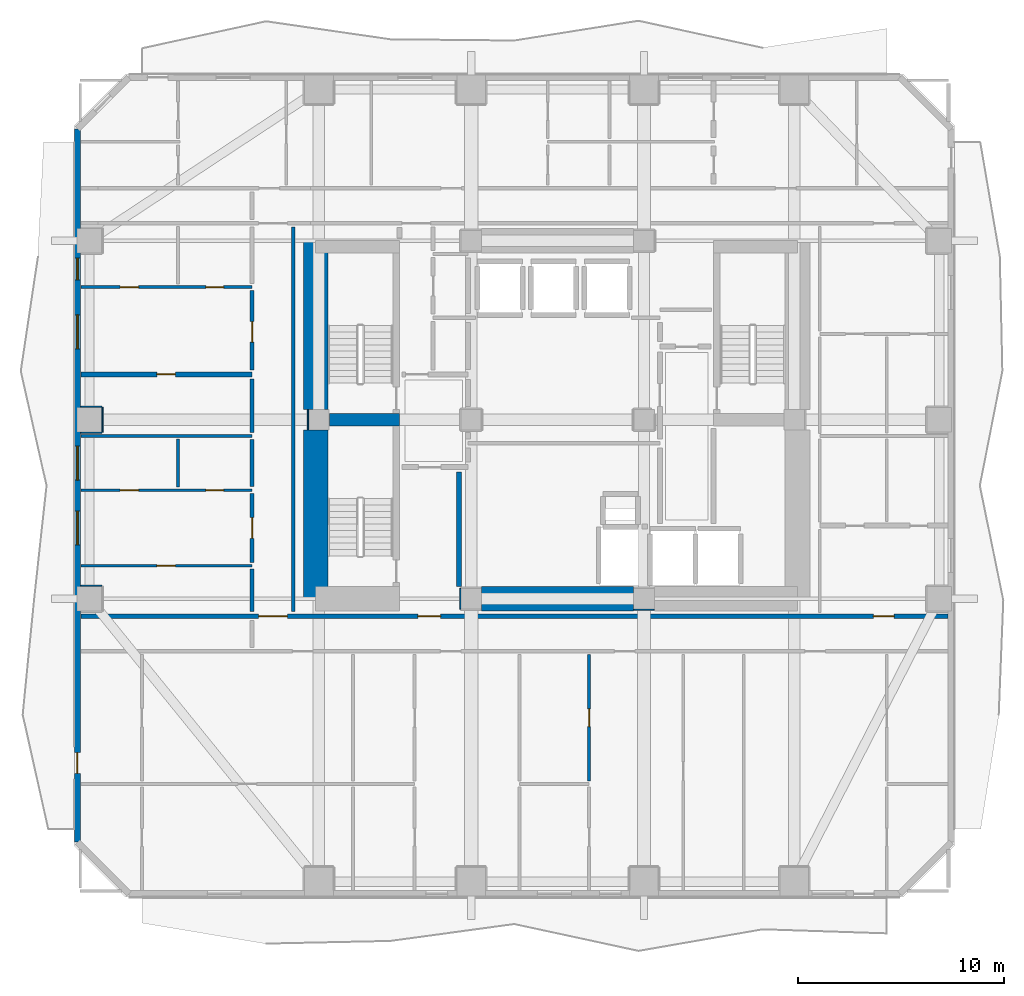
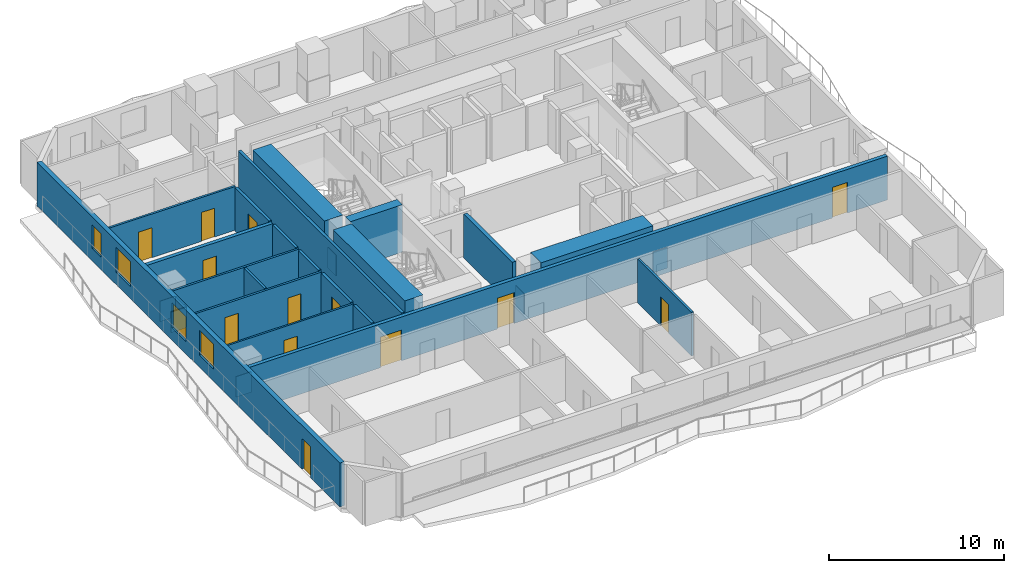
# One storey, part 3 of 11: 27 walls, 13 doors, 4 windows, 17 openings.
"""IFC4 building model written with IfcOpenShell, lengths in metres."""

from ifc_helpers import new_model, si_unit, direction, frame, frame_2d, origin, place, context, subcontext, project, spatial, rectangle, extrude, material, layer, layer_set, type_object, element, fill, save


model = new_model("IFC4")

# Units and contexts
model_context = context("Model", 3, precision=1e-05, world=origin(), true_north=direction((0.0, 1.0)))
body_context = subcontext(model_context, "Body", "Model", "MODEL_VIEW")
ifc_project = project(units=[si_unit("LENGTHUNIT", "METRE"), si_unit("AREAUNIT", "SQUARE_METRE"), si_unit("VOLUMEUNIT", "CUBIC_METRE"), si_unit("PLANEANGLEUNIT", "RADIAN"), si_unit("MASSUNIT", "GRAM", prefix="KILO")], contexts=[model_context])

# Site, building, storey
site_placement = place(None, origin())
site = spatial("IfcSite", under=ifc_project, at=site_placement, CompositionType="ELEMENT")
building_placement = place(site_placement, origin())
building = spatial("IfcBuilding", under=site, at=building_placement, Name="Solanera Arch Residences", CompositionType="ELEMENT")
storey_placement = place(building_placement, frame((0.0, 0.0, 25.320068359375)))
storey = spatial("IfcBuildingStorey", under=building, at=storey_placement, Name="L06", CompositionType="ELEMENT", Elevation=25.320068359375)

# Walls
ifc_material_1 = material(Name="Fire-Rated Gypsum Stud Partition", Category="gypsum")
ifc_layer_1 = layer(ifc_material_1, 0.06005859375)
ifc_layer_set_1 = layer_set([ifc_layer_1], Name="Fire-Rated Gypsum Stud Partition")
wall_type_1 = type_object("IfcWallType", Name="Column Acoustic Furring Wall 60", PredefinedType="PARTITIONING", material=ifc_layer_set_1)
wall_1_placement = place(storey_placement, frame((20.26806640625, 21.5, 0.0), z_axis=(0.0, 0.0, 1.0), x_axis=(0.0, 1.0, 0.0)))
element("IfcWall", 1, at=wall_1_placement, inside=storey, type_object=wall_type_1, Name="L06 Column Furring 1W", PredefinedType="PARTITIONING", context=body_context, shape_type="SweptSolid", body=[
    extrude(rectangle(XDim=1.0, YDim=0.06005859375, at=frame_2d((0.5, 0.0))), origin(), (0.0, 0.0, 1.0), 1.449951171875),
])
for number, where, z_axis, x_axis, name in (
    (2, (28.7099609375, 21.468017578125, 0.0), (0.0, 0.0, 1.0), (1.0, 0.0, 0.0), "L06 Column Furring 2S"),
    (3, (12.867919921875, 30.2099609375, 0.0), (0.0, 0.0, 1.0), (0.0, 1.0, 0.0), "L06 Column Furring 5W"),
):
    element("IfcWall", number, at=place(storey_placement, frame(where, z_axis=z_axis, x_axis=x_axis)), inside=storey, type_object=wall_type_1, Name=name, PredefinedType="PARTITIONING", context=body_context, shape_type="SweptSolid", body=[
        extrude(rectangle(XDim=0.97998046875, YDim=0.06005859375, at=frame_2d((0.489990234375, 0.0))), origin(), (0.0, 0.0, 1.0), 1.449951171875),
    ])
for number, where, z_axis, x_axis, name in (
    (4, (1.830078125, 22.632080078125, 0.0), (0.0, 0.0, 1.0), (1.0, 0.0, 0.0), "L06 Column Furring 17N"),
    (5, (1.830078125, 30.068115234375, 0.0), (0.0, 0.0, 1.0), (1.0, 0.0, 0.0), "L06 Column Furring 19S"),
    (6, (1.830078125, 31.33203125, 0.0), (0.0, 0.0, 1.0), (1.0, 0.0, 0.0), "L06 Column Furring 19N"),
):
    element("IfcWall", number, at=place(storey_placement, frame(where, z_axis=z_axis, x_axis=x_axis)), inside=storey, type_object=wall_type_1, Name=name, PredefinedType="PARTITIONING", context=body_context, shape_type="SweptSolid", body=[
        extrude(rectangle(XDim=1.02001953125, YDim=0.06005859375, at=frame_2d((0.510009765625, 0.0))), origin(), (0.0, 0.0, 1.0), 1.449951171875),
    ])
wall_2_placement = place(storey_placement, frame((2.882080078125, 30.10009765625, 0.0), z_axis=(0.0, 0.0, 1.0), x_axis=(0.0, 1.0, 0.0)))
element("IfcWall", 7, at=wall_2_placement, inside=storey, type_object=wall_type_1, Name="L06 Column Furring 19E", PredefinedType="PARTITIONING", context=body_context, shape_type="SweptSolid", body=[
    extrude(rectangle(XDim=1.199951171875, YDim=0.06005859375, at=frame_2d((0.60009765625, 0.0))), origin(), (0.0, 0.0, 1.0), 1.449951171875),
])
ifc_material_2 = material(Name="Concrete C55/67 (f'c = 60 MPa)", Category="concrete")
ifc_layer_2 = layer(ifc_material_2, 1.199951171875)
ifc_layer_set_2 = layer_set([ifc_layer_2], Name="Concrete C55/67 (f'c = 60 MPa)")
wall_type_2 = type_object("IfcWallType", Name="Core Shear Wall CW-1200", PredefinedType="SHEAR", material=ifc_layer_set_2)
wall_3_placement = place(storey_placement, frame((13.239990234375, 22.0, 0.0), z_axis=(0.0, 0.0, 1.0), x_axis=(0.0, 1.0, 0.0)))
element("IfcWall", 8, at=wall_3_placement, inside=storey, type_object=wall_type_2, Name="L06 West Core South Shear Wall", PredefinedType="SHEAR", context=body_context, shape_type="SweptSolid", body=[
    extrude(rectangle(XDim=8.195068359375, YDim=1.199951171875, at=frame_2d((4.09765625, 0.0))), origin(), (0.0, 0.0, 1.0), 3.31982421875),
])
wall_4_placement = place(storey_placement, frame((13.239990234375, 31.205078125, 0.0), z_axis=(0.0, 0.0, 1.0), x_axis=(0.0, 1.0, 0.0)))
element("IfcWall", 9, at=wall_4_placement, inside=storey, type_object=wall_type_2, Name="L06 West Core North Shear Wall", PredefinedType="SHEAR", context=body_context, shape_type="SweptSolid", body=[
    extrude(rectangle(XDim=8.19482421875, YDim=1.199951171875, at=frame_2d((4.097412109375, 0.0))), origin(), (0.0, 0.0, 1.0), 3.31982421875),
])
wall_5_placement = place(storey_placement, frame((21.304931640625, 22.0, 0.0), z_axis=(0.0, 0.0, 1.0), x_axis=(1.0, 0.0, 0.0)))
element("IfcWall", 10, at=wall_5_placement, inside=storey, type_object=wall_type_2, Name="L06 Central South Core Shear Wall", PredefinedType="SHEAR", context=body_context, shape_type="SweptSolid", body=[
    extrude(rectangle(XDim=7.39013671875, YDim=1.199951171875, at=frame_2d((3.695068359375, 0.0))), origin(), (0.0, 0.0, 1.0), 3.31982421875),
])
ifc_material_3 = material(Name="Concrete C40/50 (f'c = 45 MPa)", Category="concrete")
ifc_layer_3 = layer(ifc_material_3, 0.60009765625)
ifc_layer_set_3 = layer_set([ifc_layer_3], Name="Concrete C40/50 (f'c = 45 MPa)")
wall_type_3 = type_object("IfcWallType", Name="Core Shear Wall CW-600", PredefinedType="SHEAR", material=ifc_layer_set_3)
wall_6_placement = place(storey_placement, frame((13.905029296875, 30.699951171875, 0.0), z_axis=(0.0, 0.0, 1.0), x_axis=(1.0, 0.0, 0.0)))
element("IfcWall", 11, at=wall_6_placement, inside=storey, type_object=wall_type_3, Name="L06 West Stair Divider Shear Wall", PredefinedType="SHEAR", context=body_context, shape_type="SweptSolid", body=[
    extrude(rectangle(XDim=3.4150390625, YDim=0.60009765625, at=frame_2d((1.70751953125, 0.0))), origin(), (0.0, 0.0, 1.0), 3.31982421875),
])
ifc_material_4 = material(Name="Autoclaved Aerated Concrete Blockwork", Category="masonry")
ifc_layer_4 = layer(ifc_material_4, 0.179931640625)
ifc_layer_set_4 = layer_set([ifc_layer_4], Name="Autoclaved Aerated Concrete Blockwork")
wall_type_4 = type_object("IfcWallType", Name="Corridor Fire Partition 180", PredefinedType="PARTITIONING", material=ifc_layer_set_4)
wall_7_placement = place(storey_placement, frame((10.14990234375, 21.367919921875, 0.0), z_axis=(0.0, 0.0, 1.0), x_axis=(0.0, 1.0, 0.0)))
element("IfcWall", 12, at=wall_7_placement, inside=storey, type_object=wall_type_4, Name="L06 Interior Partition V7 2", PredefinedType="PARTITIONING", context=body_context, shape_type="SweptSolid", body=[
    extrude(rectangle(XDim=2.073974609375, YDim=0.179931640625, at=frame_2d((1.037109375, 0.0))), origin(), (0.0, 0.0, 1.0), 3.059814453125),
])

# Wall, opening, door
wall_8_placement = place(storey_placement, frame((10.14990234375, 23.758056640625, 0.0), z_axis=(0.0, 0.0, 1.0), x_axis=(0.0, 1.0, 0.0)))
wall_8 = element("IfcWall", 13, at=wall_8_placement, inside=storey, type_object=wall_type_4, Name="L06 Interior Partition V7 3", PredefinedType="PARTITIONING", context=body_context, shape_type="SweptSolid", body=[
    extrude(rectangle(XDim=3.348876953125, YDim=0.179931640625, at=frame_2d((1.67431640625, 0.0))), origin(), (0.0, 0.0, 1.0), 3.059814453125),
])
opening_1_placement = place(wall_8_placement, frame((1.179931640625, 0.0, 0.0)))
opening_1 = element("IfcOpeningElement", 14, at=opening_1_placement, cuts=wall_8, Name="Opening DI-01", PredefinedType="OPENING", context=body_context, shape_type="SweptSolid", body=[
    extrude(rectangle(XDim=1.0, YDim=2.14990234375, at=frame_2d((0.5, 1.074951171875))), frame((0.0, 0.10009765625, 0.0), z_axis=(0.0, -1.0, 0.0), x_axis=(1.0, 0.0, 0.0)), (0.0, 0.0, 1.0), 0.1999),
])
ifc_material_5 = material(Name="Fire-Rated Architectural Hardwood", Category="wood")
door_type_1 = type_object("IfcDoorType", Name="Unit Entrance Fire Door DI-01", OperationType="NOTDEFINED", PredefinedType="DOOR", material=ifc_material_5)
door_1_placement = place(opening_1_placement, origin())
door_1 = element("IfcDoor", 15, at=door_1_placement, inside=storey, type_object=door_type_1, Name="DR-L06-IN-038", OperationType="SINGLE_SWING_RIGHT", OverallHeight=2.14990234375, OverallWidth=1.0, PredefinedType="DOOR", context=body_context, shape_type="SweptSolid", body=[
    extrude(rectangle(XDim=1.0, YDim=2.14990234375, at=frame_2d((0.5, 1.074951171875))), frame((0.0, 0.02490234375, 0.0), z_axis=(0.0, -1.0, 0.0), x_axis=(1.0, 0.0, 0.0)), (0.0, 0.0, 1.0), 0.050048828125),
])
fill(opening_1, door_1)

# Walls
wall_9_placement = place(storey_placement, frame((10.14990234375, 27.443115234375, 0.0), z_axis=(0.0, 0.0, 1.0), x_axis=(0.0, 1.0, 0.0)))
element("IfcWall", 16, at=wall_9_placement, inside=storey, type_object=wall_type_4, Name="L06 Interior Partition V7 4", PredefinedType="PARTITIONING", context=body_context, shape_type="SweptSolid", body=[
    extrude(rectangle(XDim=2.288818359375, YDim=0.179931640625, at=frame_2d((1.14453125, 0.0))), origin(), (0.0, 0.0, 1.0), 3.059814453125),
])
wall_10_placement = place(storey_placement, frame((10.14990234375, 30.068115234375, 0.0), z_axis=(0.0, 0.0, 1.0), x_axis=(0.0, 1.0, 0.0)))
element("IfcWall", 17, at=wall_10_placement, inside=storey, type_object=wall_type_4, Name="L06 Interior Partition V7 5", PredefinedType="PARTITIONING", context=body_context, shape_type="SweptSolid", body=[
    extrude(rectangle(XDim=2.61376953125, YDim=0.179931640625, at=frame_2d((1.306884765625, 0.0))), origin(), (0.0, 0.0, 1.0), 3.059814453125),
])

# Wall, opening, door
wall_11_placement = place(storey_placement, frame((10.14990234375, 33.117919921875, 0.0), z_axis=(0.0, 0.0, 1.0), x_axis=(0.0, 1.0, 0.0)))
wall_11 = element("IfcWall", 18, at=wall_11_placement, inside=storey, type_object=wall_type_4, Name="L06 Interior Partition V7 6", PredefinedType="PARTITIONING", context=body_context, shape_type="SweptSolid", body=[
    extrude(rectangle(XDim=3.859130859375, YDim=0.179931640625, at=frame_2d((1.9296875, 0.0))), origin(), (0.0, 0.0, 1.0), 3.059814453125),
])
opening_2_placement = place(wall_11_placement, frame((1.35302734375, 0.0, 0.0)))
opening_2 = element("IfcOpeningElement", 19, at=opening_2_placement, cuts=wall_11, Name="Opening DI-01", PredefinedType="OPENING", context=body_context, shape_type="SweptSolid", body=[
    extrude(rectangle(XDim=1.0, YDim=2.14990234375, at=frame_2d((0.5, 1.074951171875))), frame((0.0, 0.10009765625, 0.0), z_axis=(0.0, -1.0, 0.0), x_axis=(1.0, 0.0, 0.0)), (0.0, 0.0, 1.0), 0.1999),
])
door_2_placement = place(opening_2_placement, origin())
door_2 = element("IfcDoor", 20, at=door_2_placement, inside=storey, type_object=door_type_1, Name="DR-L06-IN-042", OperationType="SINGLE_SWING_RIGHT", OverallHeight=2.14990234375, OverallWidth=1.0, PredefinedType="DOOR", context=body_context, shape_type="SweptSolid", body=[
    extrude(rectangle(XDim=1.0, YDim=2.14990234375, at=frame_2d((0.5, 1.074951171875))), frame((0.0, 0.02490234375, 0.0), z_axis=(0.0, -1.0, 0.0), x_axis=(1.0, 0.0, 0.0)), (0.0, 0.0, 1.0), 0.050048828125),
])
fill(opening_2, door_2)

# Wall
wall_12_placement = place(storey_placement, frame((12.14990234375, 21.367919921875, 0.0), z_axis=(0.0, 0.0, 1.0), x_axis=(0.0, 1.0, 0.0)))
element("IfcWall", 21, at=wall_12_placement, inside=storey, type_object=wall_type_4, Name="L06 Interior Partition V8", PredefinedType="PARTITIONING", context=body_context, shape_type="SweptSolid", body=[
    extrude(rectangle(XDim=18.694091796875, YDim=0.179931640625, at=frame_2d((9.34716796875, 0.0))), origin(), (0.0, 0.0, 1.0), 3.059814453125),
])

# Wall, openings, door, windows
ifc_material_6 = material(Name="Precast Concrete C35/45", Category="concrete")
ifc_layer_5 = layer(ifc_material_6, 0.300048828125)
ifc_layer_set_5 = layer_set([ifc_layer_5], Name="Precast Concrete C35/45")
wall_type_5 = type_object("IfcWallType", Name="Exterior Wall Precast Masonry-Frame 300", PredefinedType="STANDARD", material=ifc_layer_set_5)
wall_13_placement = place(storey_placement, frame((1.6650390625, 10.1650390625, 0.0), z_axis=(0.0, 0.0, 1.0), x_axis=(0.0, 1.0, 0.0)))
wall_13 = element("IfcWall", 22, at=wall_13_placement, inside=storey, type_object=wall_type_5, Name="L06 Tower Exterior Precast Masonry-Frame Wall W", PredefinedType="STANDARD", context=body_context, shape_type="SweptSolid", body=[
    extrude(rectangle(XDim=34.669921875, YDim=0.300048828125, at=frame_2d((17.3349609375, 0.0))), origin(), (0.0, 0.0, 1.0), 3.059814453125),
])
opening_3_placement = place(wall_13_placement, frame((3.35205078125, 0.0, 0.0)))
opening_3 = element("IfcOpeningElement", 23, at=opening_3_placement, cuts=wall_13, Name="Opening DB-01", PredefinedType="OPENING", context=body_context, shape_type="SweptSolid", body=[
    extrude(rectangle(XDim=1.0, YDim=2.14990234375, at=frame_2d((0.5, 1.074951171875))), frame((0.0, 0.159912109375, 0.0), z_axis=(0.0, -1.0, 0.0), x_axis=(1.0, 0.0, 0.0)), (0.0, 0.0, 1.0), 0.32),
])
opening_4_placement = place(wall_13_placement, frame((14.447998046875, 0.0, 0.85009765625)))
opening_4 = element("IfcOpeningElement", 24, at=opening_4_placement, cuts=wall_13, Name="Opening W-08", PredefinedType="OPENING", context=body_context, shape_type="SweptSolid", body=[
    extrude(rectangle(XDim=1.64990234375, YDim=1.75, at=frame_2d((0.824951171875, 0.875))), frame((0.0, 0.159912109375, 0.0), z_axis=(0.0, -1.0, 0.0), x_axis=(1.0, 0.0, 0.0)), (0.0, 0.0, 1.0), 0.32),
])
opening_5_placement = place(wall_13_placement, frame((17.597900390625, 0.0, 0.85009765625)))
opening_5 = element("IfcOpeningElement", 25, at=opening_5_placement, cuts=wall_13, Name="Opening W-08", PredefinedType="OPENING", context=body_context, shape_type="SweptSolid", body=[
    extrude(rectangle(XDim=1.64990234375, YDim=1.75, at=frame_2d((0.824951171875, 0.875))), frame((0.0, 0.159912109375, 0.0), z_axis=(0.0, -1.0, 0.0), x_axis=(1.0, 0.0, 0.0)), (0.0, 0.0, 1.0), 0.32),
])
opening_6_placement = place(wall_13_placement, frame((23.98193359375, 0.0, 0.85009765625)))
opening_6 = element("IfcOpeningElement", 26, at=opening_6_placement, cuts=wall_13, Name="Opening W-08", PredefinedType="OPENING", context=body_context, shape_type="SweptSolid", body=[
    extrude(rectangle(XDim=1.64990234375, YDim=1.75, at=frame_2d((0.824951171875, 0.875))), frame((0.0, 0.159912109375, 0.0), z_axis=(0.0, -1.0, 0.0), x_axis=(1.0, 0.0, 0.0)), (0.0, 0.0, 1.0), 0.32),
])
opening_7_placement = place(wall_13_placement, frame((27.3330078125, 0.0, 0.85009765625)))
opening_7 = element("IfcOpeningElement", 27, at=opening_7_placement, cuts=wall_13, Name="Opening W-07", PredefinedType="OPENING", context=body_context, shape_type="SweptSolid", body=[
    extrude(rectangle(XDim=1.050048828125, YDim=1.64990234375, at=frame_2d((0.52490234375, 0.824951171875))), frame((0.0, 0.159912109375, 0.0), z_axis=(0.0, -1.0, 0.0), x_axis=(1.0, 0.0, 0.0)), (0.0, 0.0, 1.0), 0.32),
])
ifc_material_7 = material(Name="Anodised Aluminium Alloy 6063-T6", Category="aluminium")
door_type_2 = type_object("IfcDoorType", Name="Glazed Balcony Swing Door DB-01", OperationType="NOTDEFINED", PredefinedType="DOOR", material=ifc_material_7)
door_3_placement = place(opening_3_placement, origin())
door_3 = element("IfcDoor", 28, at=door_3_placement, inside=storey, type_object=door_type_2, Name="DR-L06-OUT-04", OperationType="SINGLE_SWING_LEFT", OverallHeight=2.14990234375, OverallWidth=1.0, PredefinedType="DOOR", context=body_context, shape_type="SweptSolid", body=[
    extrude(rectangle(XDim=1.0, YDim=2.14990234375, at=frame_2d((0.5, 1.074951171875))), frame((0.0, 0.02490234375, 0.0), z_axis=(0.0, -1.0, 0.0), x_axis=(1.0, 0.0, 0.0)), (0.0, 0.0, 1.0), 0.050048828125),
])
fill(opening_3, door_3)
ifc_material_8 = material(Name="Double Glazed Low-E Laminated Glass", Category="glass")
window_type_1 = type_object("IfcWindowType", Name="Punched Window W-07", PartitioningType="SINGLE_PANEL", PredefinedType="WINDOW", material=ifc_material_8)
window_1_placement = place(opening_7_placement, origin())
window_1 = element("IfcWindow", 29, at=window_1_placement, inside=storey, type_object=window_type_1, Name="L06 0609-BR1 Punched Window", OverallHeight=1.64990234375, OverallWidth=1.050048828125, PartitioningType="SINGLE_PANEL", PredefinedType="WINDOW", context=body_context, shape_type="SweptSolid", body=[
    extrude(rectangle(XDim=1.050048828125, YDim=1.64990234375, at=frame_2d((0.52490234375, 0.824951171875))), frame((0.0, 0.030029296875, 0.0), z_axis=(0.0, -1.0, 0.0), x_axis=(1.0, 0.0, 0.0)), (0.0, 0.0, 1.0), 0.06005859375),
])
fill(opening_7, window_1)
ifc_material_9 = material(Name="Double Glazed Low-E Laminated Glass", Category="glass")
window_type_2 = type_object("IfcWindowType", Name="Punched Window W-08", PartitioningType="DOUBLE_PANEL_HORIZONTAL", PredefinedType="WINDOW", material=ifc_material_9)
window_2_placement = place(opening_4_placement, origin())
window_2 = element("IfcWindow", 30, at=window_2_placement, inside=storey, type_object=window_type_2, Name="L06 0608-LIV Punched Window", OverallHeight=1.75, OverallWidth=1.64990234375, PartitioningType="SINGLE_PANEL", PredefinedType="WINDOW", context=body_context, shape_type="SweptSolid", body=[
    extrude(rectangle(XDim=1.64990234375, YDim=1.75, at=frame_2d((0.824951171875, 0.875))), frame((0.0, 0.030029296875, 0.0), z_axis=(0.0, -1.0, 0.0), x_axis=(1.0, 0.0, 0.0)), (0.0, 0.0, 1.0), 0.06005859375),
])
fill(opening_4, window_2)
window_3_placement = place(opening_5_placement, origin())
window_3 = element("IfcWindow", 31, at=window_3_placement, inside=storey, type_object=window_type_2, Name="L06 0608-BR1 Punched Window", OverallHeight=1.75, OverallWidth=1.64990234375, PartitioningType="SINGLE_PANEL", PredefinedType="WINDOW", context=body_context, shape_type="SweptSolid", body=[
    extrude(rectangle(XDim=1.64990234375, YDim=1.75, at=frame_2d((0.824951171875, 0.875))), frame((0.0, 0.030029296875, 0.0), z_axis=(0.0, -1.0, 0.0), x_axis=(1.0, 0.0, 0.0)), (0.0, 0.0, 1.0), 0.06005859375),
])
fill(opening_5, window_3)
window_4_placement = place(opening_6_placement, origin())
window_4 = element("IfcWindow", 32, at=window_4_placement, inside=storey, type_object=window_type_2, Name="L06 0609-LIV Punched Window", OverallHeight=1.75, OverallWidth=1.64990234375, PartitioningType="SINGLE_PANEL", PredefinedType="WINDOW", context=body_context, shape_type="SweptSolid", body=[
    extrude(rectangle(XDim=1.64990234375, YDim=1.75, at=frame_2d((0.824951171875, 0.875))), frame((0.0, 0.030029296875, 0.0), z_axis=(0.0, -1.0, 0.0), x_axis=(1.0, 0.0, 0.0)), (0.0, 0.0, 1.0), 0.06005859375),
])
fill(opening_6, window_4)

# Wall, openings, doors
ifc_material_10 = material(Name="Autoclaved Aerated Concrete Blockwork", Category="masonry")
ifc_layer_6 = layer(ifc_material_10, 0.239990234375)
ifc_layer_set_6 = layer_set([ifc_layer_6], Name="Autoclaved Aerated Concrete Blockwork")
wall_type_6 = type_object("IfcWallType", Name="Shaft Wall Fire-Rated 240", PredefinedType="PARTITIONING", material=ifc_layer_set_6)
wall_14_placement = place(storey_placement, frame((1.826904296875, 21.14990234375, 0.0), z_axis=(0.0, 0.0, 1.0), x_axis=(1.0, 0.0, 0.0)))
wall_14 = element("IfcWall", 33, at=wall_14_placement, inside=storey, type_object=wall_type_6, Name="L06 Interior Partition H1", PredefinedType="PARTITIONING", context=body_context, shape_type="SweptSolid", body=[
    extrude(rectangle(XDim=42.14599609375, YDim=0.239990234375, at=frame_2d((21.072998046875, 0.0))), origin(), (0.0, 0.0, 1.0), 3.059814453125),
])
opening_8_placement = place(wall_14_placement, frame((16.383056640625, 0.0, 0.0)))
opening_8 = element("IfcOpeningElement", 34, at=opening_8_placement, cuts=wall_14, Name="Opening DF-02", PredefinedType="OPENING", context=body_context, shape_type="SweptSolid", body=[
    extrude(rectangle(XDim=1.10009765625, YDim=2.14990234375, at=frame_2d((0.550048828125, 1.074951171875))), frame((0.0, 0.1298828125, 0.0), z_axis=(0.0, -1.0, 0.0), x_axis=(1.0, 0.0, 0.0)), (0.0, 0.0, 1.0), 0.26),
])
opening_9_placement = place(wall_14_placement, frame((8.64697265625, 0.0, 0.0)))
opening_9 = element("IfcOpeningElement", 35, at=opening_9_placement, cuts=wall_14, Name="Opening DF-03", PredefinedType="OPENING", context=body_context, shape_type="SweptSolid", body=[
    extrude(rectangle(XDim=1.39990234375, YDim=2.14990234375, at=frame_2d((0.699951171875, 1.074951171875))), frame((0.0, 0.1298828125, 0.0), z_axis=(0.0, -1.0, 0.0), x_axis=(1.0, 0.0, 0.0)), (0.0, 0.0, 1.0), 0.26),
])
opening_10_placement = place(wall_14_placement, frame((38.52392578125, 0.0, 0.0)))
opening_10 = element("IfcOpeningElement", 36, at=opening_10_placement, cuts=wall_14, Name="Opening DI-01", PredefinedType="OPENING", context=body_context, shape_type="SweptSolid", body=[
    extrude(rectangle(XDim=1.0, YDim=2.14990234375, at=frame_2d((0.5, 1.074951171875))), frame((0.0, 0.1298828125, 0.0), z_axis=(0.0, -1.0, 0.0), x_axis=(1.0, 0.0, 0.0)), (0.0, 0.0, 1.0), 0.26),
])
ifc_material_11 = material(Name="Fire-Rated Architectural Hardwood", Category="wood")
door_type_3 = type_object("IfcDoorType", Name="Corridor Smoke Door DF-03", OperationType="NOTDEFINED", PredefinedType="DOOR", material=ifc_material_11)
door_4_placement = place(opening_9_placement, origin())
door_4 = element("IfcDoor", 37, at=door_4_placement, inside=storey, type_object=door_type_3, Name="DR-L06-IN-010", OperationType="SINGLE_SWING_RIGHT", OverallHeight=2.14990234375, OverallWidth=1.39990234375, PredefinedType="DOOR", context=body_context, shape_type="SweptSolid", body=[
    extrude(rectangle(XDim=1.39990234375, YDim=2.14990234375, at=frame_2d((0.699951171875, 1.074951171875))), frame((0.0, 0.02490234375, 0.0), z_axis=(0.0, -1.0, 0.0), x_axis=(1.0, 0.0, 0.0)), (0.0, 0.0, 1.0), 0.050048828125),
])
fill(opening_9, door_4)
ifc_material_12 = material(Name="Fire-Rated Architectural Hardwood", Category="wood")
door_type_4 = type_object("IfcDoorType", Name="Firefighting Lobby Fire Door DF-02", OperationType="NOTDEFINED", PredefinedType="DOOR", material=ifc_material_12)
door_5_placement = place(opening_8_placement, origin())
door_5 = element("IfcDoor", 38, at=door_5_placement, inside=storey, type_object=door_type_4, Name="DR-L06-IN-008", OperationType="SINGLE_SWING_RIGHT", OverallHeight=2.14990234375, OverallWidth=1.10009765625, PredefinedType="DOOR", context=body_context, shape_type="SweptSolid", body=[
    extrude(rectangle(XDim=1.10009765625, YDim=2.14990234375, at=frame_2d((0.550048828125, 1.074951171875))), frame((0.0, 0.02490234375, 0.0), z_axis=(0.0, -1.0, 0.0), x_axis=(1.0, 0.0, 0.0)), (0.0, 0.0, 1.0), 0.050048828125),
])
fill(opening_8, door_5)
door_6_placement = place(opening_10_placement, origin())
door_6 = element("IfcDoor", 39, at=door_6_placement, inside=storey, type_object=door_type_1, Name="DR-L06-IN-046", OperationType="SINGLE_SWING_RIGHT", OverallHeight=2.14990234375, OverallWidth=1.0, PredefinedType="DOOR", context=body_context, shape_type="SweptSolid", body=[
    extrude(rectangle(XDim=1.0, YDim=2.14990234375, at=frame_2d((0.5, 1.074951171875))), frame((0.0, 0.02490234375, 0.0), z_axis=(0.0, -1.0, 0.0), x_axis=(1.0, 0.0, 0.0)), (0.0, 0.0, 1.0), 0.050048828125),
])
fill(opening_10, door_6)

# Wall, opening, door
wall_15_placement = place(storey_placement, frame((1.826904296875, 32.89990234375, 0.0), z_axis=(0.0, 0.0, 1.0), x_axis=(1.0, 0.0, 0.0)))
wall_15 = element("IfcWall", 40, at=wall_15_placement, inside=storey, type_object=wall_type_6, Name="L06 Interior Partition H5", PredefinedType="PARTITIONING", context=body_context, shape_type="SweptSolid", body=[
    extrude(rectangle(XDim=8.322998046875, YDim=0.239990234375, at=frame_2d((4.16162109375, 0.0))), origin(), (0.0, 0.0, 1.0), 3.059814453125),
])
opening_11_placement = place(wall_15_placement, frame((3.697998046875, 0.0, 0.0)))
opening_11 = element("IfcOpeningElement", 41, at=opening_11_placement, cuts=wall_15, Name="Opening DI-02", PredefinedType="OPENING", context=body_context, shape_type="SweptSolid", body=[
    extrude(rectangle(XDim=0.89990234375, YDim=2.10009765625, at=frame_2d((0.449951171875, 1.050048828125))), frame((0.0, 0.1298828125, 0.0), z_axis=(0.0, -1.0, 0.0), x_axis=(1.0, 0.0, 0.0)), (0.0, 0.0, 1.0), 0.26),
])
ifc_material_13 = material(Name="Fire-Rated Architectural Hardwood", Category="wood")
door_type_5 = type_object("IfcDoorType", Name="Suite Room Swing Door DI-02", OperationType="NOTDEFINED", PredefinedType="DOOR", material=ifc_material_13)
door_7_placement = place(opening_11_placement, origin())
door_7 = element("IfcDoor", 42, at=door_7_placement, inside=storey, type_object=door_type_5, Name="DR-L06-IN-043", OperationType="SINGLE_SWING_LEFT", OverallHeight=2.10009765625, OverallWidth=0.89990234375, PredefinedType="DOOR", context=body_context, shape_type="SweptSolid", body=[
    extrude(rectangle(XDim=0.89990234375, YDim=2.10009765625, at=frame_2d((0.449951171875, 1.050048828125))), frame((0.0, 0.02490234375, 0.0), z_axis=(0.0, -1.0, 0.0), x_axis=(1.0, 0.0, 0.0)), (0.0, 0.0, 1.0), 0.050048828125),
])
fill(opening_11, door_7)

# Wall
wall_16_placement = place(storey_placement, frame((20.199951171875, 22.5859375, 0.0), z_axis=(0.0, 0.0, 1.0), x_axis=(0.0, 1.0, 0.0)))
element("IfcWall", 43, at=wall_16_placement, inside=storey, type_object=wall_type_6, Name="L06 Interior Partition V2", PredefinedType="PARTITIONING", context=body_context, shape_type="SweptSolid", body=[
    extrude(rectangle(XDim=5.566162109375, YDim=0.239990234375, at=frame_2d((2.783203125, 0.0))), origin(), (0.0, 0.0, 1.0), 3.059814453125),
])

# Wall, opening, door
ifc_material_14 = material(Name="Fire-Rated Gypsum Stud Partition", Category="gypsum")
ifc_layer_7 = layer(ifc_material_14, 0.1201171875)
ifc_layer_set_7 = layer_set([ifc_layer_7], Name="Fire-Rated Gypsum Stud Partition")
wall_type_7 = type_object("IfcWallType", Name="Unit Drywall Partition 120", PredefinedType="PARTITIONING", material=ifc_layer_set_7)
wall_17_placement = place(storey_placement, frame((1.826904296875, 23.60009765625, 0.0), z_axis=(0.0, 0.0, 1.0), x_axis=(1.0, 0.0, 0.0)))
wall_17 = element("IfcWall", 44, at=wall_17_placement, inside=storey, type_object=wall_type_7, Name="L06 Interior Partition H27", PredefinedType="PARTITIONING", context=body_context, shape_type="SweptSolid", body=[
    extrude(rectangle(XDim=8.322998046875, YDim=0.1201171875, at=frame_2d((4.16162109375, 0.0))), origin(), (0.0, 0.0, 1.0), 3.059814453125),
])
opening_12_placement = place(wall_17_placement, frame((3.697998046875, 0.0, 0.0)))
opening_12 = element("IfcOpeningElement", 45, at=opening_12_placement, cuts=wall_17, Name="Opening DI-02", PredefinedType="OPENING", context=body_context, shape_type="SweptSolid", body=[
    extrude(rectangle(XDim=0.89990234375, YDim=2.10009765625, at=frame_2d((0.449951171875, 1.050048828125))), frame((0.0, 0.070068359375, 0.0), z_axis=(0.0, -1.0, 0.0), x_axis=(1.0, 0.0, 0.0)), (0.0, 0.0, 1.0), 0.1401),
])
door_8_placement = place(opening_12_placement, origin())
door_8 = element("IfcDoor", 46, at=door_8_placement, inside=storey, type_object=door_type_5, Name="DR-L06-IN-039", OperationType="SINGLE_SWING_LEFT", OverallHeight=2.10009765625, OverallWidth=0.89990234375, PredefinedType="DOOR", context=body_context, shape_type="SweptSolid", body=[
    extrude(rectangle(XDim=0.89990234375, YDim=2.10009765625, at=frame_2d((0.449951171875, 1.050048828125))), frame((0.0, 0.02490234375, 0.0), z_axis=(0.0, -1.0, 0.0), x_axis=(1.0, 0.0, 0.0)), (0.0, 0.0, 1.0), 0.050048828125),
])
fill(opening_12, door_8)

# Wall, openings, doors
ifc_material_15 = material(Name="Autoclaved Aerated Concrete Blockwork", Category="masonry")
ifc_layer_8 = layer(ifc_material_15, 0.139892578125)
ifc_layer_set_8 = layer_set([ifc_layer_8], Name="Autoclaved Aerated Concrete Blockwork")
wall_type_8 = type_object("IfcWallType", Name="Wet-Room Partition 140", PredefinedType="PARTITIONING", material=ifc_layer_set_8)
wall_18_placement = place(storey_placement, frame((1.826904296875, 27.27490234375, 0.0), z_axis=(0.0, 0.0, 1.0), x_axis=(1.0, 0.0, 0.0)))
wall_18 = element("IfcWall", 47, at=wall_18_placement, inside=storey, type_object=wall_type_8, Name="L06 Interior Partition H18", PredefinedType="PARTITIONING", context=body_context, shape_type="SweptSolid", body=[
    extrude(rectangle(XDim=8.322998046875, YDim=0.139892578125, at=frame_2d((4.16162109375, 0.0))), origin(), (0.0, 0.0, 1.0), 3.059814453125),
])
opening_13_placement = place(wall_18_placement, frame((6.0849609375, 0.0, 0.0)))
opening_13 = element("IfcOpeningElement", 48, at=opening_13_placement, cuts=wall_18, Name="Opening DI-05", PredefinedType="OPENING", context=body_context, shape_type="SweptSolid", body=[
    extrude(rectangle(XDim=0.860107421875, YDim=2.02001953125, at=frame_2d((0.43017578125, 1.010009765625))), frame((0.0, 0.079833984375, 0.0), z_axis=(0.0, -1.0, 0.0), x_axis=(1.0, 0.0, 0.0)), (0.0, 0.0, 1.0), 0.1599),
])
opening_14_placement = place(wall_18_placement, frame((1.9150390625, 0.0, 0.0)))
opening_14 = element("IfcOpeningElement", 49, at=opening_14_placement, cuts=wall_18, Name="Opening DI-03", PredefinedType="OPENING", context=body_context, shape_type="SweptSolid", body=[
    extrude(rectangle(XDim=0.89990234375, YDim=2.10009765625, at=frame_2d((0.449951171875, 1.050048828125))), frame((0.0, 0.079833984375, 0.0), z_axis=(0.0, -1.0, 0.0), x_axis=(1.0, 0.0, 0.0)), (0.0, 0.0, 1.0), 0.1599),
])
ifc_material_16 = material(Name="Fire-Rated Architectural Hardwood", Category="wood")
door_type_6 = type_object("IfcDoorType", Name="Bathroom Swing Door DI-05", OperationType="NOTDEFINED", PredefinedType="DOOR", material=ifc_material_16)
door_9_placement = place(opening_13_placement, origin())
door_9 = element("IfcDoor", 50, at=door_9_placement, inside=storey, type_object=door_type_6, Name="DR-L06-IN-040", OperationType="SINGLE_SWING_RIGHT", OverallHeight=2.02001953125, OverallWidth=0.860107421875, PredefinedType="DOOR", context=body_context, shape_type="SweptSolid", body=[
    extrude(rectangle(XDim=0.860107421875, YDim=2.02001953125, at=frame_2d((0.43017578125, 1.010009765625))), frame((0.0, 0.02490234375, 0.0), z_axis=(0.0, -1.0, 0.0), x_axis=(1.0, 0.0, 0.0)), (0.0, 0.0, 1.0), 0.050048828125),
])
fill(opening_13, door_9)
ifc_material_17 = material(Name="Fire-Rated Architectural Hardwood", Category="wood")
door_type_7 = type_object("IfcDoorType", Name="Bedroom Swing Door DI-03", OperationType="NOTDEFINED", PredefinedType="DOOR", material=ifc_material_17)
door_10_placement = place(opening_14_placement, origin())
door_10 = element("IfcDoor", 51, at=door_10_placement, inside=storey, type_object=door_type_7, Name="DR-L06-IN-041", OperationType="SINGLE_SWING_LEFT", OverallHeight=2.10009765625, OverallWidth=0.89990234375, PredefinedType="DOOR", context=body_context, shape_type="SweptSolid", body=[
    extrude(rectangle(XDim=0.89990234375, YDim=2.10009765625, at=frame_2d((0.449951171875, 1.050048828125))), frame((0.0, 0.02490234375, 0.0), z_axis=(0.0, -1.0, 0.0), x_axis=(1.0, 0.0, 0.0)), (0.0, 0.0, 1.0), 0.050048828125),
])
fill(opening_14, door_10)

# Wall
wall_19_placement = place(storey_placement, frame((1.826904296875, 29.89990234375, 0.0), z_axis=(0.0, 0.0, 1.0), x_axis=(1.0, 0.0, 0.0)))
element("IfcWall", 52, at=wall_19_placement, inside=storey, type_object=wall_type_8, Name="L06 Interior Partition H19", PredefinedType="PARTITIONING", context=body_context, shape_type="SweptSolid", body=[
    extrude(rectangle(XDim=8.322998046875, YDim=0.139892578125, at=frame_2d((4.16162109375, 0.0))), origin(), (0.0, 0.0, 1.0), 3.059814453125),
])

# Wall, openings, doors
wall_20_placement = place(storey_placement, frame((1.826904296875, 37.14501953125, 0.0), z_axis=(0.0, 0.0, 1.0), x_axis=(1.0, 0.0, 0.0)))
wall_20 = element("IfcWall", 53, at=wall_20_placement, inside=storey, type_object=wall_type_8, Name="L06 Interior Partition H22", PredefinedType="PARTITIONING", context=body_context, shape_type="SweptSolid", body=[
    extrude(rectangle(XDim=8.322998046875, YDim=0.139892578125, at=frame_2d((4.16162109375, 0.0))), origin(), (0.0, 0.0, 1.0), 3.059814453125),
])
opening_15_placement = place(wall_20_placement, frame((6.0849609375, 0.0, 0.0)))
opening_15 = element("IfcOpeningElement", 54, at=opening_15_placement, cuts=wall_20, Name="Opening DI-05", PredefinedType="OPENING", context=body_context, shape_type="SweptSolid", body=[
    extrude(rectangle(XDim=0.860107421875, YDim=2.02001953125, at=frame_2d((0.43017578125, 1.010009765625))), frame((0.0, 0.079833984375, 0.0), z_axis=(0.0, -1.0, 0.0), x_axis=(1.0, 0.0, 0.0)), (0.0, 0.0, 1.0), 0.1599),
])
opening_16_placement = place(wall_20_placement, frame((1.9150390625, 0.0, 0.0)))
opening_16 = element("IfcOpeningElement", 55, at=opening_16_placement, cuts=wall_20, Name="Opening DI-03", PredefinedType="OPENING", context=body_context, shape_type="SweptSolid", body=[
    extrude(rectangle(XDim=0.89990234375, YDim=2.10009765625, at=frame_2d((0.449951171875, 1.050048828125))), frame((0.0, 0.079833984375, 0.0), z_axis=(0.0, -1.0, 0.0), x_axis=(1.0, 0.0, 0.0)), (0.0, 0.0, 1.0), 0.1599),
])
door_11_placement = place(opening_15_placement, origin())
door_11 = element("IfcDoor", 56, at=door_11_placement, inside=storey, type_object=door_type_6, Name="DR-L06-IN-044", OperationType="SINGLE_SWING_RIGHT", OverallHeight=2.02001953125, OverallWidth=0.860107421875, PredefinedType="DOOR", context=body_context, shape_type="SweptSolid", body=[
    extrude(rectangle(XDim=0.860107421875, YDim=2.02001953125, at=frame_2d((0.43017578125, 1.010009765625))), frame((0.0, 0.02490234375, 0.0), z_axis=(0.0, -1.0, 0.0), x_axis=(1.0, 0.0, 0.0)), (0.0, 0.0, 1.0), 0.050048828125),
])
fill(opening_15, door_11)
door_12_placement = place(opening_16_placement, origin())
door_12 = element("IfcDoor", 57, at=door_12_placement, inside=storey, type_object=door_type_7, Name="DR-L06-IN-045", OperationType="SINGLE_SWING_LEFT", OverallHeight=2.10009765625, OverallWidth=0.89990234375, PredefinedType="DOOR", context=body_context, shape_type="SweptSolid", body=[
    extrude(rectangle(XDim=0.89990234375, YDim=2.10009765625, at=frame_2d((0.449951171875, 1.050048828125))), frame((0.0, 0.02490234375, 0.0), z_axis=(0.0, -1.0, 0.0), x_axis=(1.0, 0.0, 0.0)), (0.0, 0.0, 1.0), 0.050048828125),
])
fill(opening_16, door_12)

# Wall
wall_21_placement = place(storey_placement, frame((6.55908203125, 27.423095703125, 0.0), z_axis=(0.0, 0.0, 1.0), x_axis=(0.0, 1.0, 0.0)))
element("IfcWall", 58, at=wall_21_placement, inside=storey, type_object=wall_type_8, Name="L06 Interior Partition V15", PredefinedType="PARTITIONING", context=body_context, shape_type="SweptSolid", body=[
    extrude(rectangle(XDim=2.328857421875, YDim=0.139892578125, at=frame_2d((1.16455078125, 0.0))), origin(), (0.0, 0.0, 1.0), 3.059814453125),
])

# Wall, opening, door
wall_22_placement = place(storey_placement, frame((26.529052734375, 13.14794921875, 0.0), z_axis=(0.0, 0.0, 1.0), x_axis=(0.0, 1.0, 0.0)))
wall_22 = element("IfcWall", 59, at=wall_22_placement, inside=storey, type_object=wall_type_8, Name="L06 Interior Partition V22 2", PredefinedType="PARTITIONING", context=body_context, shape_type="SweptSolid", body=[
    extrude(rectangle(XDim=6.134033203125, YDim=0.139892578125, at=frame_2d((3.06689453125, 0.0))), origin(), (0.0, 0.0, 1.0), 3.059814453125),
])
opening_17_placement = place(wall_22_placement, frame((2.634033203125, 0.0, 0.0)))
opening_17 = element("IfcOpeningElement", 60, at=opening_17_placement, cuts=wall_22, Name="Opening DI-05", PredefinedType="OPENING", context=body_context, shape_type="SweptSolid", body=[
    extrude(rectangle(XDim=0.860107421875, YDim=2.02001953125, at=frame_2d((0.43017578125, 1.010009765625))), frame((0.0, 0.079833984375, 0.0), z_axis=(0.0, -1.0, 0.0), x_axis=(1.0, 0.0, 0.0)), (0.0, 0.0, 1.0), 0.1599),
])
door_13_placement = place(opening_17_placement, origin())
door_13 = element("IfcDoor", 61, at=door_13_placement, inside=storey, type_object=door_type_6, Name="DR-L06-IN-021", OperationType="SINGLE_SWING_LEFT", OverallHeight=2.02001953125, OverallWidth=0.860107421875, PredefinedType="DOOR", context=body_context, shape_type="SweptSolid", body=[
    extrude(rectangle(XDim=0.860107421875, YDim=2.02001953125, at=frame_2d((0.43017578125, 1.010009765625))), frame((0.0, 0.02490234375, 0.0), z_axis=(0.0, -1.0, 0.0), x_axis=(1.0, 0.0, 0.0)), (0.0, 0.0, 1.0), 0.050048828125),
])
fill(opening_17, door_13)

save(model, "model.ifc")
